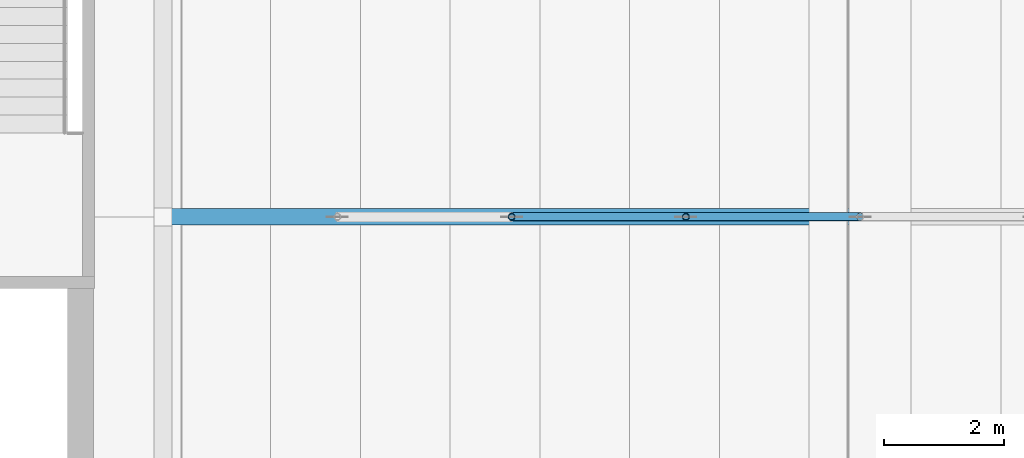
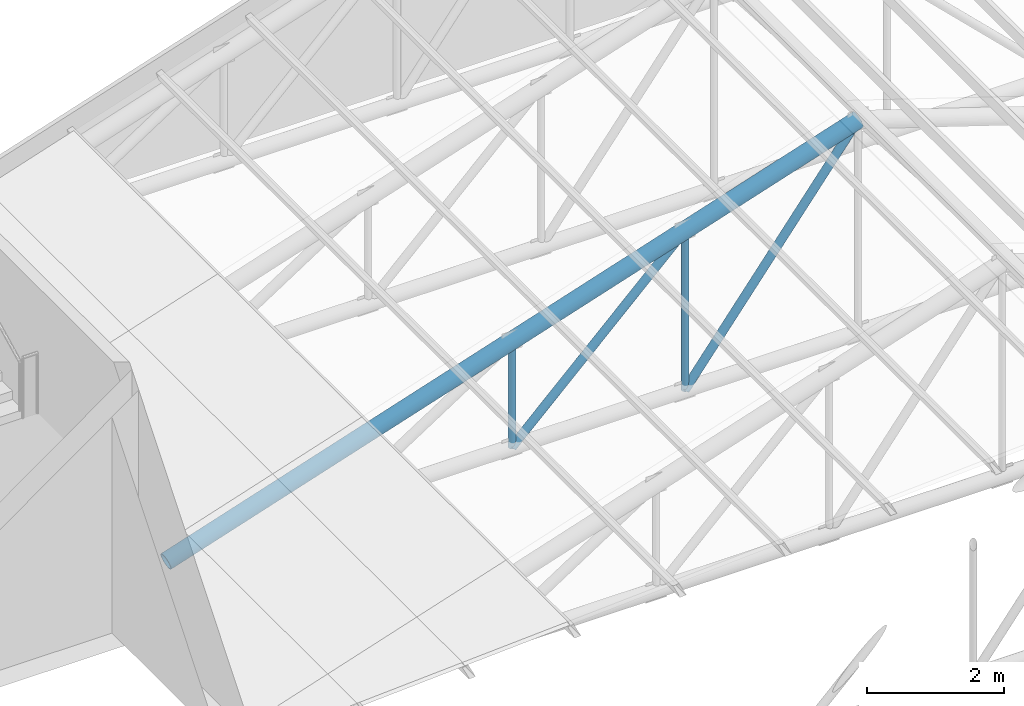
# One storey, part 44 of 95: 5 members.
"""IFC4 building model written with IfcOpenShell, lengths in metres."""

from ifc_helpers import new_model, si_unit, direction, frame, origin, origin_2d, place, context, subcontext, project, spatial, hollow_circle, extrude, material, material_profile, profile_set, type_object, element, save


model = new_model("IFC4")

# Units and contexts
model_context = context("Model", 3, precision=1e-05, world=origin(), true_north=direction((0.0, 1.0)))
body_context = subcontext(model_context, "Body", "Model", "MODEL_VIEW")
ifc_project = project(units=[si_unit("LENGTHUNIT", "METRE"), si_unit("AREAUNIT", "SQUARE_METRE"), si_unit("VOLUMEUNIT", "CUBIC_METRE"), si_unit("PLANEANGLEUNIT", "RADIAN"), si_unit("MASSUNIT", "GRAM", prefix="KILO")], contexts=[model_context])

# Site, building, storey
site_placement = place(None, origin())
site = spatial("IfcSite", under=ifc_project, at=site_placement, CompositionType="ELEMENT")
building_placement = place(site_placement, origin())
building = spatial("IfcBuilding", under=site, at=building_placement, Name="Kiln Court Media Centre", CompositionType="ELEMENT")
storey_placement = place(building_placement, frame((0.0, 0.0, 24.60009765625)))
storey = spatial("IfcBuildingStorey", under=building, at=storey_placement, Name="L05", CompositionType="ELEMENT", Elevation=24.60009765625)

# Members
ifc_material_1 = material(Name="Steel ASTM A500 Gr C", Category="steel")
ifc_material_profile_1 = material_profile(ifc_material_1, hollow_circle(Radius=0.05712890625, WallThickness=0.0048828125, at=origin_2d()), Name="CHS 114.3x5.0")
ifc_profile_set_1 = profile_set([ifc_material_profile_1], Name="Steel ASTM A500 Gr C")
member_type_1 = type_object("IfcMemberType", Name="Steel ASTM A500 Gr C CHS 114.3x5.0 truss web", PredefinedType="BRACE", material=ifc_profile_set_1)
member_1_placement = place(storey_placement, frame((40.574951171875, 58.800048828125, -0.013916015625), z_axis=(0.0, 0.0, 1.0), x_axis=(1.0, 0.0, 0.0)))
element("IfcMember", 1, at=member_1_placement, inside=storey, type_object=member_type_1, Name="foyer truss FT-09 post 2 truss web", PredefinedType="BRACE", context=body_context, shape_type="SweptSolid", body=[
    extrude(hollow_circle(Radius=0.05712890625, WallThickness=0.0048828125, at=origin_2d()), origin(), (0.0, 0.0, 1.0), 1.892822265625),
])
member_2_placement = place(storey_placement, frame((43.487548828125, 58.800048828125, -0.013916015625), z_axis=(0.0, 0.0, 1.0), x_axis=(1.0, 0.0, 0.0)))
element("IfcMember", 2, at=member_2_placement, inside=storey, type_object=member_type_1, Name="foyer truss FT-09 post 3 truss web", PredefinedType="BRACE", context=body_context, shape_type="SweptSolid", body=[
    extrude(hollow_circle(Radius=0.05712890625, WallThickness=0.0048828125, at=origin_2d()), origin(), (0.0, 0.0, 1.0), 2.839111328125),
])
ifc_material_2 = material(Name="Steel ASTM A500 Gr C", Category="steel")
ifc_material_profile_2 = material_profile(ifc_material_2, hollow_circle(Radius=0.06982421875, WallThickness=0.0048828125, at=origin_2d()), Name="CHS 139.7x5.0")
ifc_profile_set_2 = profile_set([ifc_material_profile_2], Name="Steel ASTM A500 Gr C")
member_type_2 = type_object("IfcMemberType", Name="Steel ASTM A500 Gr C CHS 139.7x5.0 truss web", PredefinedType="BRACE", material=ifc_profile_set_2)
member_3_placement = place(storey_placement, frame((40.574951171875, 58.800048828125, -0.013916015625), z_axis=(0.716082640751, 0.0, 0.69801550958), x_axis=(0.0, 1.0, 0.0)))
element("IfcMember", 3, at=member_3_placement, inside=storey, type_object=member_type_2, Name="foyer truss FT-09 diagonal 3 truss web", PredefinedType="BRACE", context=body_context, shape_type="SweptSolid", body=[
    extrude(hollow_circle(Radius=0.06982421875, WallThickness=0.0048828125, at=origin_2d()), origin(), (0.0, 0.0, 1.0), 4.0673828125),
])
member_4_placement = place(storey_placement, frame((43.487548828125, 58.800048828125, -0.013916015625), z_axis=(0.609777458127, 0.0, 0.79257267904), x_axis=(0.0, 1.0, 0.0)))
element("IfcMember", 4, at=member_4_placement, inside=storey, type_object=member_type_2, Name="foyer truss FT-09 diagonal 4 truss web", PredefinedType="BRACE", context=body_context, shape_type="SweptSolid", body=[
    extrude(hollow_circle(Radius=0.06982421875, WallThickness=0.0048828125, at=origin_2d()), origin(), (0.0, 0.0, 1.0), 4.776123046875),
])
ifc_material_3 = material(Name="Steel ASTM A500 Gr C", Category="steel")
ifc_material_profile_3 = material_profile(ifc_material_3, hollow_circle(Radius=0.136474609375, WallThickness=0.010009765625, at=origin_2d()), Name="CHS 273.0x10.0")
ifc_profile_set_3 = profile_set([ifc_material_profile_3], Name="Steel ASTM A500 Gr C")
member_type_3 = type_object("IfcMemberType", Name="Steel ASTM A500 Gr C CHS 273.0x10.0 truss chord", PredefinedType="CHORD", material=ifc_profile_set_3)
member_5_placement = place(storey_placement, frame((34.75, 58.800048828125, -0.013916015625), z_axis=(0.951053693326, 0.0, 0.309025682447), x_axis=(0.0, 1.0, 0.0)))
element("IfcMember", 5, at=member_5_placement, inside=storey, type_object=member_type_3, Name="foyer truss FT-09 west rafter truss chord", PredefinedType="CHORD", context=body_context, shape_type="SweptSolid", body=[
    extrude(hollow_circle(Radius=0.136474609375, WallThickness=0.010009765625, at=origin_2d()), origin(), (0.0, 0.0, 1.0), 12.24951171875),
])

save(model, "model.ifc")
